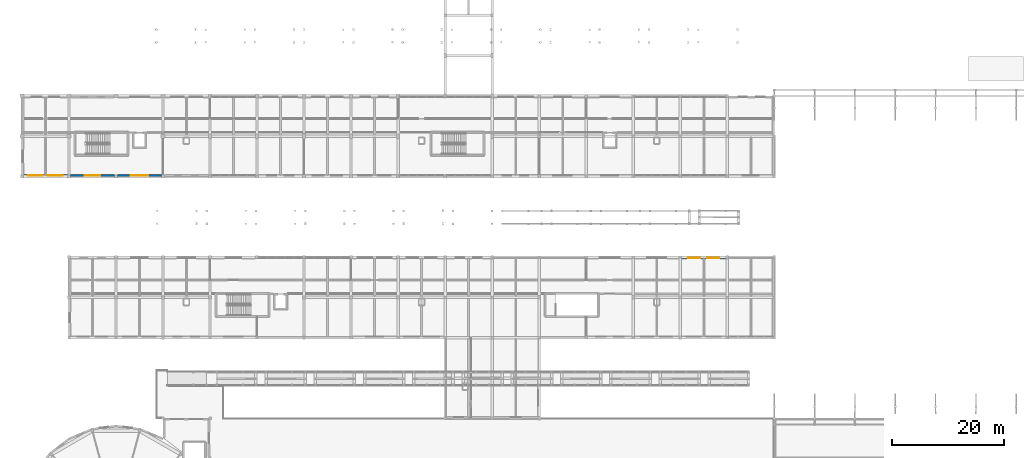
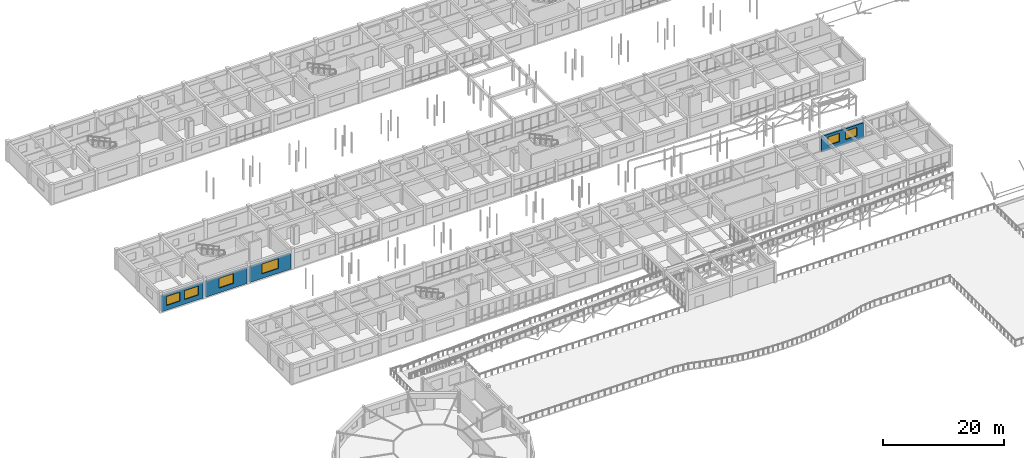
# One storey, part 71 of 90: 6 windows, 4 walls, 6 openings.
"""IFC4 building model written with IfcOpenShell, lengths in metres."""

from ifc_helpers import new_model, si_unit, direction, frame, frame_2d, origin, place, context, subcontext, project, spatial, rectangle, extrude, material, layer, layer_set, type_object, element, fill, save


model = new_model("IFC4")

# Units and contexts
model_context = context("Model", 3, precision=1e-05, world=origin(), true_north=direction((0.0, 1.0)))
body_context = subcontext(model_context, "Body", "Model", "MODEL_VIEW")
ifc_project = project(units=[si_unit("LENGTHUNIT", "METRE"), si_unit("AREAUNIT", "SQUARE_METRE"), si_unit("VOLUMEUNIT", "CUBIC_METRE"), si_unit("PLANEANGLEUNIT", "RADIAN"), si_unit("MASSUNIT", "GRAM", prefix="KILO")], contexts=[model_context])

# Site, building, storey
site_placement = place(None, origin())
site = spatial("IfcSite", under=ifc_project, at=site_placement, CompositionType="ELEMENT")
building_placement = place(site_placement, origin())
building = spatial("IfcBuilding", under=site, at=building_placement, Name="Malvenik Polytechnic", CompositionType="ELEMENT")
storey_placement = place(building_placement, frame((0.0, 0.0, 9.300048828125)))
storey = spatial("IfcBuildingStorey", under=building, at=storey_placement, Name="L02", CompositionType="ELEMENT", Elevation=9.300048828125)

# Wall, openings, windows
ifc_material_1 = material(Name="Concrete C30/37", Category="concrete")
ifc_layer = layer(ifc_material_1, 0.340087890625)
ifc_layer_set = layer_set([ifc_layer], Name="Concrete C30/37")
wall_type = type_object("IfcWallType", Name="ARC-EW-340", PredefinedType="SOLIDWALL", material=ifc_layer_set)
wall_1_placement = place(storey_placement, frame((117.798095703125, 64.6298828125, 0.0), z_axis=(0.0, 0.0, 1.0), x_axis=(1.0, 0.0, 0.0)))
wall_1 = element("IfcWall", 1, at=wall_1_placement, inside=storey, type_object=wall_type, Name="External Facade Wall EW-02 L02 #288", PredefinedType="SOLIDWALL", context=body_context, shape_type="SweptSolid", body=[
    extrude(rectangle(XDim=8.00390625, YDim=0.340087890625, at=frame_2d((4.001953125, 0.0))), origin(), (0.0, 0.0, 1.0), 3.179931640625),
])
opening_1_placement = place(wall_1_placement, frame((1.201416015625, 0.0, 0.949951171875)))
opening_1 = element("IfcOpeningElement", 2, at=opening_1_placement, cuts=wall_1, Name="Opening W-19", PredefinedType="OPENING", context=body_context, shape_type="SweptSolid", body=[
    extrude(rectangle(XDim=2.199951171875, YDim=1.699951171875, at=frame_2d((1.10009765625, 0.85009765625))), frame((0.0, 0.18017578125, 0.0), z_axis=(0.0, -1.0, 0.0), x_axis=(1.0, 0.0, 0.0)), (0.0, 0.0, 1.0), 0.360107421875),
])
opening_2_placement = place(wall_1_placement, frame((4.6025390625, 0.0, 0.949951171875)))
opening_2 = element("IfcOpeningElement", 3, at=opening_2_placement, cuts=wall_1, Name="Opening W-19", PredefinedType="OPENING", context=body_context, shape_type="SweptSolid", body=[
    extrude(rectangle(XDim=2.199951171875, YDim=1.699951171875, at=frame_2d((1.10009765625, 0.85009765625))), frame((0.0, 0.18017578125, 0.0), z_axis=(0.0, -1.0, 0.0), x_axis=(1.0, 0.0, 0.0)), (0.0, 0.0, 1.0), 0.360107421875),
])
ifc_material_2 = material(Name="Thermally broken aluminium frame with low-E double glazing", Category="aluminium")
window_type_1 = type_object("IfcWindowType", Name="ARC-WIN-W-19", PartitioningType="SINGLE_PANEL", PredefinedType="WINDOW", material=ifc_material_2)
window_1_placement = place(opening_1_placement, origin())
window_1 = element("IfcWindow", 4, at=window_1_placement, inside=storey, type_object=window_type_1, Name="Punched Window W-19 L02 #259", OverallHeight=1.699951171875, OverallWidth=2.199951171875, PartitioningType="SINGLE_PANEL", PredefinedType="WINDOW", context=body_context, shape_type="SweptSolid", body=[
    extrude(rectangle(XDim=2.199951171875, YDim=1.699951171875, at=frame_2d((1.10009765625, 0.85009765625))), frame((0.0, 0.030029296875, 0.0), z_axis=(0.0, -1.0, 0.0), x_axis=(1.0, 0.0, 0.0)), (0.0, 0.0, 1.0), 0.06005859375),
])
fill(opening_1, window_1)
window_2_placement = place(opening_2_placement, origin())
window_2 = element("IfcWindow", 5, at=window_2_placement, inside=storey, type_object=window_type_1, Name="Punched Window W-19 L02 #260", OverallHeight=1.699951171875, OverallWidth=2.199951171875, PartitioningType="SINGLE_PANEL", PredefinedType="WINDOW", context=body_context, shape_type="SweptSolid", body=[
    extrude(rectangle(XDim=2.199951171875, YDim=1.699951171875, at=frame_2d((1.10009765625, 0.85009765625))), frame((0.0, 0.030029296875, 0.0), z_axis=(0.0, -1.0, 0.0), x_axis=(1.0, 0.0, 0.0)), (0.0, 0.0, 1.0), 0.06005859375),
])
fill(opening_2, window_2)

# Wall, opening, window
wall_2_placement = place(storey_placement, frame((24.951904296875, 79.3701171875, 0.0), z_axis=(0.0, 0.0, 1.0), x_axis=(-1.0, 0.0, 0.0)))
wall_2 = element("IfcWall", 6, at=wall_2_placement, inside=storey, type_object=wall_type, Name="External Facade Wall EW-02 L02 #305", PredefinedType="SOLIDWALL", context=body_context, shape_type="SweptSolid", body=[
    extrude(rectangle(XDim=7.90380859375, YDim=0.340087890625, at=frame_2d((3.951904296875, 0.0))), origin(), (0.0, 0.0, 1.0), 3.179931640625),
])
opening_3_placement = place(wall_2_placement, frame((2.35205078125, 0.0, 0.949951171875)))
opening_3 = element("IfcOpeningElement", 7, at=opening_3_placement, cuts=wall_2, Name="Opening W-09", PredefinedType="OPENING", context=body_context, shape_type="SweptSolid", body=[
    extrude(rectangle(XDim=3.199951171875, YDim=1.97998046875, at=frame_2d((1.60009765625, 0.989990234375))), frame((0.0, 0.18017578125, 0.0), z_axis=(0.0, -1.0, 0.0), x_axis=(1.0, 0.0, 0.0)), (0.0, 0.0, 1.0), 0.360107421875),
])
window_type_2 = type_object("IfcWindowType", Name="ARC-WIN-W-09", PartitioningType="SINGLE_PANEL", PredefinedType="WINDOW", material=ifc_material_2)
window_3_placement = place(opening_3_placement, origin())
window_3 = element("IfcWindow", 8, at=window_3_placement, inside=storey, type_object=window_type_2, Name="Punched Window W-09 L02 #281", OverallHeight=1.97998046875, OverallWidth=3.199951171875, PartitioningType="SINGLE_PANEL", PredefinedType="WINDOW", context=body_context, shape_type="SweptSolid", body=[
    extrude(rectangle(XDim=3.199951171875, YDim=1.97998046875, at=frame_2d((1.60009765625, 0.989990234375))), frame((0.0, 0.030029296875, 0.0), z_axis=(0.0, -1.0, 0.0), x_axis=(1.0, 0.0, 0.0)), (0.0, 0.0, 1.0), 0.06005859375),
])
fill(opening_3, window_3)

wall_3_placement = place(storey_placement, frame((16.552001953125, 79.3701171875, 0.0), z_axis=(0.0, 0.0, 1.0), x_axis=(-1.0, 0.0, 0.0)))
wall_3 = element("IfcWall", 9, at=wall_3_placement, inside=storey, type_object=wall_type, Name="External Facade Wall EW-02 L02 #306", PredefinedType="SOLIDWALL", context=body_context, shape_type="SweptSolid", body=[
    extrude(rectangle(XDim=7.904052734375, YDim=0.340087890625, at=frame_2d((3.9521484375, 0.0))), origin(), (0.0, 0.0, 1.0), 3.179931640625),
])
opening_4_placement = place(wall_3_placement, frame((2.552001953125, 0.0, 0.949951171875)))
opening_4 = element("IfcOpeningElement", 10, at=opening_4_placement, cuts=wall_3, Name="Opening W-10", PredefinedType="OPENING", context=body_context, shape_type="SweptSolid", body=[
    extrude(rectangle(XDim=2.800048828125, YDim=1.97998046875, at=frame_2d((1.39990234375, 0.989990234375))), frame((0.0, 0.18017578125, 0.0), z_axis=(0.0, -1.0, 0.0), x_axis=(1.0, 0.0, 0.0)), (0.0, 0.0, 1.0), 0.360107421875),
])
window_type_3 = type_object("IfcWindowType", Name="ARC-WIN-W-10", PartitioningType="SINGLE_PANEL", PredefinedType="WINDOW", material=ifc_material_2)
window_4_placement = place(opening_4_placement, origin())
window_4 = element("IfcWindow", 11, at=window_4_placement, inside=storey, type_object=window_type_3, Name="Punched Window W-10 L02 #282", OverallHeight=1.97998046875, OverallWidth=2.800048828125, PartitioningType="SINGLE_PANEL", PredefinedType="WINDOW", context=body_context, shape_type="SweptSolid", body=[
    extrude(rectangle(XDim=2.800048828125, YDim=1.97998046875, at=frame_2d((1.39990234375, 0.989990234375))), frame((0.0, 0.030029296875, 0.0), z_axis=(0.0, -1.0, 0.0), x_axis=(1.0, 0.0, 0.0)), (0.0, 0.0, 1.0), 0.06005859375),
])
fill(opening_4, window_4)

# Wall, openings, windows
wall_4_placement = place(storey_placement, frame((8.152099609375, 79.3701171875, 0.0), z_axis=(0.0, 0.0, 1.0), x_axis=(-1.0, 0.0, 0.0)))
wall_4 = element("IfcWall", 12, at=wall_4_placement, inside=storey, type_object=wall_type, Name="External Facade Wall EW-02 L02 #307", PredefinedType="SOLIDWALL", context=body_context, shape_type="SweptSolid", body=[
    extrude(rectangle(XDim=7.904052734375, YDim=0.340087890625, at=frame_2d((3.9521484375, 0.0))), origin(), (0.0, 0.0, 1.0), 3.179931640625),
])
opening_5_placement = place(wall_4_placement, frame((0.9013671875, 0.0, 0.949951171875)))
opening_5 = element("IfcOpeningElement", 13, at=opening_5_placement, cuts=wall_4, Name="Opening W-11", PredefinedType="OPENING", context=body_context, shape_type="SweptSolid", body=[
    extrude(rectangle(XDim=2.60009765625, YDim=1.800048828125, at=frame_2d((1.300048828125, 0.89990234375))), frame((0.0, 0.18017578125, 0.0), z_axis=(0.0, -1.0, 0.0), x_axis=(1.0, 0.0, 0.0)), (0.0, 0.0, 1.0), 0.360107421875),
])
opening_6_placement = place(wall_4_placement, frame((4.402587890625, 0.0, 0.949951171875)))
opening_6 = element("IfcOpeningElement", 14, at=opening_6_placement, cuts=wall_4, Name="Opening W-11", PredefinedType="OPENING", context=body_context, shape_type="SweptSolid", body=[
    extrude(rectangle(XDim=2.60009765625, YDim=1.800048828125, at=frame_2d((1.300048828125, 0.89990234375))), frame((0.0, 0.18017578125, 0.0), z_axis=(0.0, -1.0, 0.0), x_axis=(1.0, 0.0, 0.0)), (0.0, 0.0, 1.0), 0.360107421875),
])
window_type_4 = type_object("IfcWindowType", Name="ARC-WIN-W-11", PartitioningType="SINGLE_PANEL", PredefinedType="WINDOW", material=ifc_material_2)
window_5_placement = place(opening_5_placement, origin())
window_5 = element("IfcWindow", 15, at=window_5_placement, inside=storey, type_object=window_type_4, Name="Punched Window W-11 L02 #283", OverallHeight=1.800048828125, OverallWidth=2.60009765625, PartitioningType="SINGLE_PANEL", PredefinedType="WINDOW", context=body_context, shape_type="SweptSolid", body=[
    extrude(rectangle(XDim=2.60009765625, YDim=1.800048828125, at=frame_2d((1.300048828125, 0.89990234375))), frame((0.0, 0.030029296875, 0.0), z_axis=(0.0, -1.0, 0.0), x_axis=(1.0, 0.0, 0.0)), (0.0, 0.0, 1.0), 0.06005859375),
])
fill(opening_5, window_5)
window_6_placement = place(opening_6_placement, origin())
window_6 = element("IfcWindow", 16, at=window_6_placement, inside=storey, type_object=window_type_4, Name="Punched Window W-11 L02 #284", OverallHeight=1.800048828125, OverallWidth=2.60009765625, PartitioningType="SINGLE_PANEL", PredefinedType="WINDOW", context=body_context, shape_type="SweptSolid", body=[
    extrude(rectangle(XDim=2.60009765625, YDim=1.800048828125, at=frame_2d((1.300048828125, 0.89990234375))), frame((0.0, 0.030029296875, 0.0), z_axis=(0.0, -1.0, 0.0), x_axis=(1.0, 0.0, 0.0)), (0.0, 0.0, 1.0), 0.06005859375),
])
fill(opening_6, window_6)

save(model, "model.ifc")
